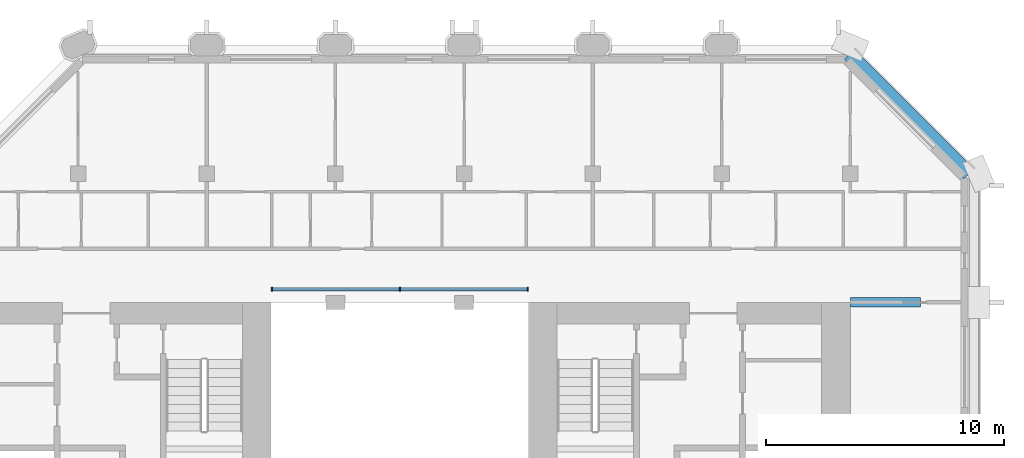
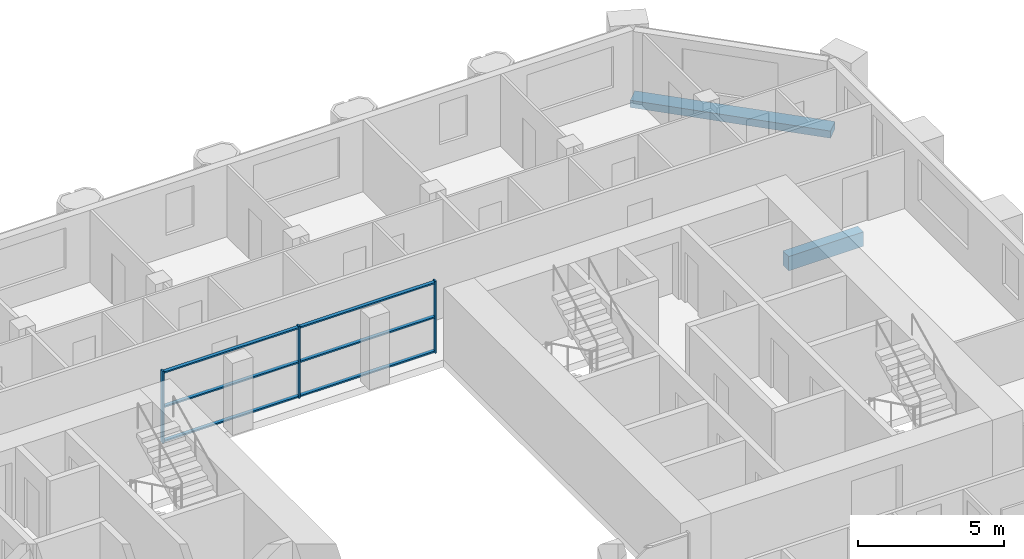
# One storey, part 4 of 13: 9 members, 2 beams, 1 element without a shape of its own.
"""IFC4 building model written with IfcOpenShell, lengths in metres."""

from ifc_helpers import new_model, si_unit, direction, frame, origin, origin_2d, place, context, subcontext, project, spatial, rectangle, extrude, material, material_profile, profile_set, type_object, element, aggregate, save


model = new_model("IFC4")

# Units and contexts
model_context = context("Model", 3, precision=1e-05, world=origin(), true_north=direction((0.0, 1.0)))
body_context = subcontext(model_context, "Body", "Model", "MODEL_VIEW")
ifc_project = project(units=[si_unit("LENGTHUNIT", "METRE"), si_unit("AREAUNIT", "SQUARE_METRE"), si_unit("VOLUMEUNIT", "CUBIC_METRE"), si_unit("PLANEANGLEUNIT", "RADIAN"), si_unit("MASSUNIT", "GRAM", prefix="KILO")], contexts=[model_context])

# Site, building, storey
site_placement = place(None, origin())
site = spatial("IfcSite", under=ifc_project, at=site_placement, CompositionType="ELEMENT")
building_placement = place(site_placement, origin())
building = spatial("IfcBuilding", under=site, at=building_placement, Name="Tabaq Tower and Sports Hall", CompositionType="ELEMENT")
storey_placement = place(building_placement, frame((0.0, 0.0, 271.89990234375)))
storey = spatial("IfcBuildingStorey", under=building, at=storey_placement, Name="L66", CompositionType="ELEMENT", Elevation=271.89990234375)

# Curtain wall, members
ifc_material_1 = material(Name="Aluminium alloy 6063-T6 framed glazing", Category="aluminium")
curtain_wall_type = type_object("IfcCurtainWallType", Name="CW1 curtain wall", PredefinedType="USERDEFINED", material=ifc_material_1)
curtain_wall_placement = place(storey_placement, origin())
curtain_wall = element("IfcCurtainWall", 1, at=curtain_wall_placement, inside=storey, type_object=curtain_wall_type, Name="Atrium glazing L66 N", ObjectType="ATRIUM ENCLOSURE", PredefinedType="USERDEFINED")
ifc_material_2 = material(Name="Aluminium alloy 6063-T6", Category="aluminium")
ifc_material_profile_1 = material_profile(ifc_material_2, rectangle(XDim=0.159912109375, YDim=0.06005859375, at=origin_2d()), Name="MULLION 160x60")
ifc_profile_set_1 = profile_set([ifc_material_profile_1], Name="Aluminium alloy 6063-T6")
member_type_1 = type_object("IfcMemberType", Name="CW1 mullion 160x60", PredefinedType="MULLION", material=ifc_profile_set_1)
member_1_placement = place(storey_placement, frame((18.929931640625, 32.949951171875, 0.0), z_axis=(0.0, 0.0, 1.0), x_axis=(0.0, 1.0, 0.0)))
member_1 = element("IfcMember", 2, at=member_1_placement, type_object=member_type_1, Name="CW1 mullion 1", PredefinedType="MULLION", context=body_context, shape_type="SweptSolid", body=[
    extrude(rectangle(XDim=0.159912109375, YDim=0.06005859375, at=origin_2d()), origin(), (0.0, 0.0, 1.0), 3.0),
])
member_2_placement = place(storey_placement, frame((24.300048828125, 32.949951171875, 0.0), z_axis=(0.0, 0.0, 1.0), x_axis=(0.0, 1.0, 0.0)))
member_2 = element("IfcMember", 3, at=member_2_placement, type_object=member_type_1, Name="CW1 mullion 2", PredefinedType="MULLION", context=body_context, shape_type="SweptSolid", body=[
    extrude(rectangle(XDim=0.159912109375, YDim=0.06005859375, at=origin_2d()), origin(), (0.0, 0.0, 1.0), 3.0),
])
member_3_placement = place(storey_placement, frame((29.669921875, 32.949951171875, 0.0), z_axis=(0.0, 0.0, 1.0), x_axis=(0.0, 1.0, 0.0)))
member_3 = element("IfcMember", 4, at=member_3_placement, type_object=member_type_1, Name="CW1 mullion 3", PredefinedType="MULLION", context=body_context, shape_type="SweptSolid", body=[
    extrude(rectangle(XDim=0.159912109375, YDim=0.06005859375, at=origin_2d()), origin(), (0.0, 0.0, 1.0), 3.0),
])
ifc_material_3 = material(Name="Aluminium alloy 6063-T6", Category="aluminium")
ifc_material_profile_2 = material_profile(ifc_material_3, rectangle(XDim=0.139892578125, YDim=0.06005859375, at=origin_2d()), Name="TRANSOM 140x60")
ifc_profile_set_2 = profile_set([ifc_material_profile_2], Name="Aluminium alloy 6063-T6")
member_type_2 = type_object("IfcMemberType", Name="CW1 transom 140x60", PredefinedType="USERDEFINED", material=ifc_profile_set_2)
member_4_placement = place(storey_placement, frame((18.9599609375, 32.949951171875, 0.070068359375), z_axis=(1.0, 0.0, 0.0), x_axis=(0.0, 1.0, 0.0)))
member_4 = element("IfcMember", 5, at=member_4_placement, type_object=member_type_2, Name="CW1 transom 1.1", ObjectType="TRANSOM", PredefinedType="USERDEFINED", context=body_context, shape_type="SweptSolid", body=[
    extrude(rectangle(XDim=0.139892578125, YDim=0.06005859375, at=origin_2d()), origin(), (0.0, 0.0, 1.0), 5.31005859375),
])
member_5_placement = place(storey_placement, frame((18.9599609375, 32.949951171875, 1.5), z_axis=(1.0, 0.0, 0.0), x_axis=(0.0, 1.0, 0.0)))
member_5 = element("IfcMember", 6, at=member_5_placement, type_object=member_type_2, Name="CW1 transom 1.2", ObjectType="TRANSOM", PredefinedType="USERDEFINED", context=body_context, shape_type="SweptSolid", body=[
    extrude(rectangle(XDim=0.139892578125, YDim=0.06005859375, at=origin_2d()), origin(), (0.0, 0.0, 1.0), 5.31005859375),
])
member_6_placement = place(storey_placement, frame((18.9599609375, 32.949951171875, 2.93017578125), z_axis=(1.0, 0.0, 0.0), x_axis=(0.0, 1.0, 0.0)))
member_6 = element("IfcMember", 7, at=member_6_placement, type_object=member_type_2, Name="CW1 transom 1.3", ObjectType="TRANSOM", PredefinedType="USERDEFINED", context=body_context, shape_type="SweptSolid", body=[
    extrude(rectangle(XDim=0.139892578125, YDim=0.06005859375, at=origin_2d()), origin(), (0.0, 0.0, 1.0), 5.31005859375),
])
member_7_placement = place(storey_placement, frame((24.330078125, 32.949951171875, 0.070068359375), z_axis=(1.0, 0.0, 0.0), x_axis=(0.0, 1.0, 0.0)))
member_7 = element("IfcMember", 8, at=member_7_placement, type_object=member_type_2, Name="CW1 transom 2.1", ObjectType="TRANSOM", PredefinedType="USERDEFINED", context=body_context, shape_type="SweptSolid", body=[
    extrude(rectangle(XDim=0.139892578125, YDim=0.06005859375, at=origin_2d()), origin(), (0.0, 0.0, 1.0), 5.309814453125),
])
member_8_placement = place(storey_placement, frame((24.330078125, 32.949951171875, 1.5), z_axis=(1.0, 0.0, 0.0), x_axis=(0.0, 1.0, 0.0)))
member_8 = element("IfcMember", 9, at=member_8_placement, type_object=member_type_2, Name="CW1 transom 2.2", ObjectType="TRANSOM", PredefinedType="USERDEFINED", context=body_context, shape_type="SweptSolid", body=[
    extrude(rectangle(XDim=0.139892578125, YDim=0.06005859375, at=origin_2d()), origin(), (0.0, 0.0, 1.0), 5.309814453125),
])
member_9_placement = place(storey_placement, frame((24.330078125, 32.949951171875, 2.93017578125), z_axis=(1.0, 0.0, 0.0), x_axis=(0.0, 1.0, 0.0)))
member_9 = element("IfcMember", 10, at=member_9_placement, type_object=member_type_2, Name="CW1 transom 2.3", ObjectType="TRANSOM", PredefinedType="USERDEFINED", context=body_context, shape_type="SweptSolid", body=[
    extrude(rectangle(XDim=0.139892578125, YDim=0.06005859375, at=origin_2d()), origin(), (0.0, 0.0, 1.0), 5.309814453125),
])
aggregate(curtain_wall, [member_1, member_2, member_3, member_4, member_5, member_6, member_7, member_8, member_9])

# Beams
ifc_material_4 = material(Name="Concrete C40/50", Category="concrete")
ifc_material_profile_3 = material_profile(ifc_material_4, rectangle(XDim=0.39990234375, YDim=0.60009765625, at=origin_2d()), Name="CB 400x600")
ifc_profile_set_3 = profile_set([ifc_material_profile_3], Name="Concrete C40/50")
beam_type_1 = type_object("IfcBeamType", Name="PT CANTILEVER BEAM CB 400x600 C40/50", PredefinedType="BEAM", material=ifc_profile_set_3)
beam_1_placement = place(storey_placement, frame((46.14990234375, 32.39990234375, -0.599853515625), z_axis=(-1.0, 0.0, 0.0), x_axis=(0.0, -1.0, 0.0)))
element("IfcBeam", 11, at=beam_1_placement, inside=storey, type_object=beam_type_1, Name="Cantilever Beam L66 E6 span 1", PredefinedType="BEAM", context=body_context, shape_type="SweptSolid", body=[
    extrude(rectangle(XDim=0.39990234375, YDim=0.60009765625, at=origin_2d()), origin(), (0.0, 0.0, 1.0), 2.949951171875),
])
ifc_material_5 = material(Name="Concrete C40/50", Category="concrete")
ifc_material_profile_4 = material_profile(ifc_material_5, rectangle(XDim=0.60009765625, YDim=0.300048828125, at=origin_2d()), Name="EB 600x300")
ifc_profile_set_4 = profile_set([ifc_material_profile_4], Name="Concrete C40/50")
beam_type_2 = type_object("IfcBeamType", Name="PT EDGE BEAM EB 600x300 C40/50", PredefinedType="SPANDREL", material=ifc_profile_set_4)
beam_2_placement = place(storey_placement, frame((48.1767578125, 37.799072265625, -0.14990234375), z_axis=(-0.707124002701, 0.707089559252, 0.0), x_axis=(-0.707089559252, -0.707124002701, 0.0)))
element("IfcBeam", 12, at=beam_2_placement, inside=storey, type_object=beam_type_2, Name="Edge Beam L66 4", PredefinedType="SPANDREL", context=body_context, shape_type="SweptSolid", body=[
    extrude(rectangle(XDim=0.60009765625, YDim=0.300048828125, at=origin_2d()), origin(), (0.0, 0.0, 1.0), 7.088134765625),
])

save(model, "model.ifc")
